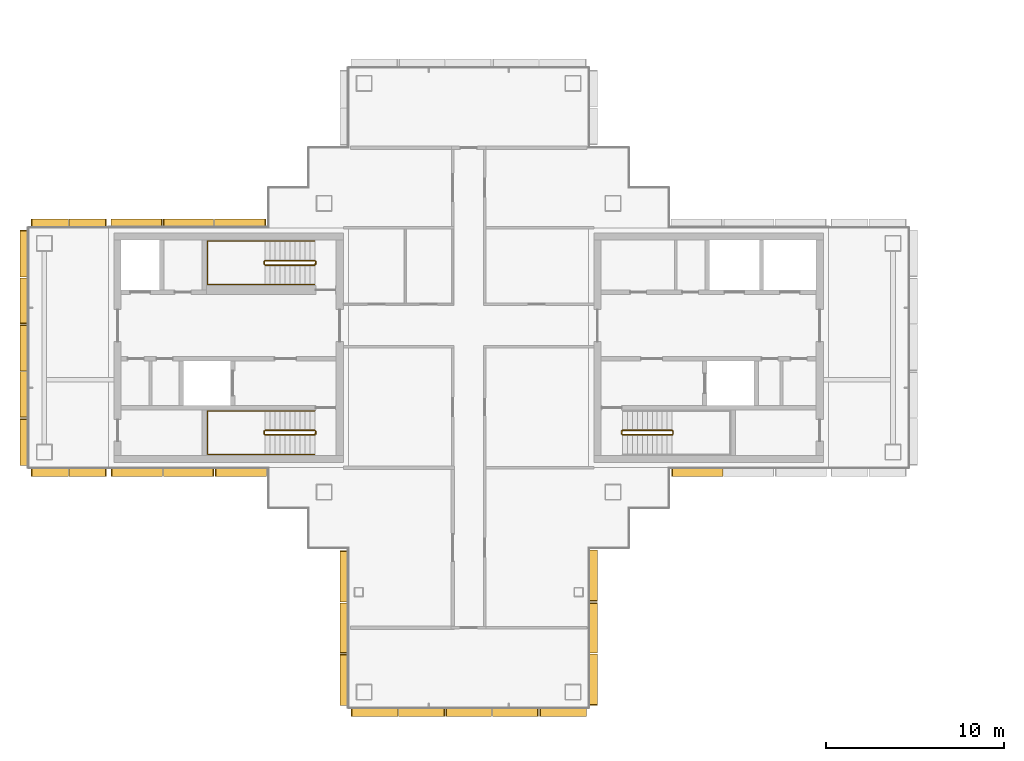
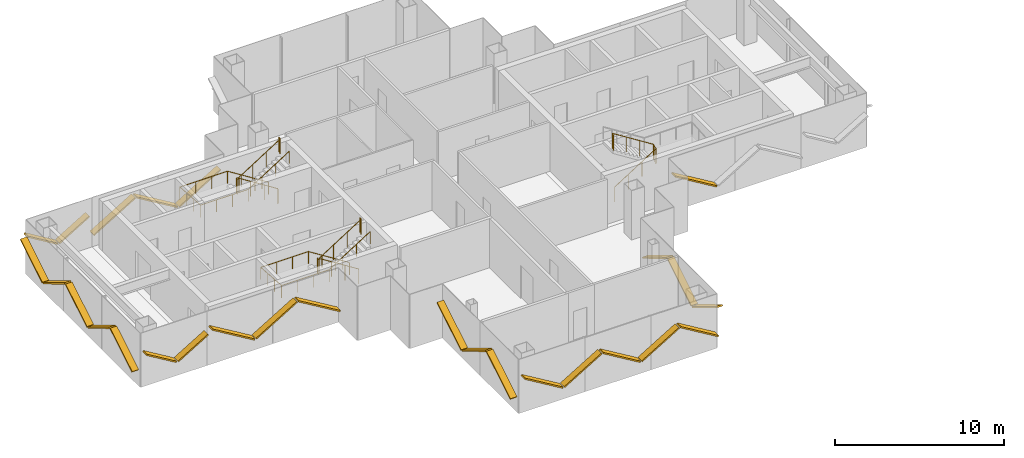
# One storey, part 14 of 17: 27 shading devices, 5 railings.
"""IFC4 building model written with IfcOpenShell, lengths in metres."""

from ifc_helpers import new_model, si_unit, direction, frame, origin, origin_2d, place, context, subcontext, project, spatial, rectangle, circle, extrude, material, material_profile, profile_set, type_object, element, save


model = new_model("IFC4")

# Units and contexts
model_context = context("Model", 3, precision=1e-05, world=origin(), true_north=direction((0.0, 1.0)))
body_context = subcontext(model_context, "Body", "Model", "MODEL_VIEW")
ifc_project = project(units=[si_unit("LENGTHUNIT", "METRE"), si_unit("AREAUNIT", "SQUARE_METRE"), si_unit("VOLUMEUNIT", "CUBIC_METRE"), si_unit("PLANEANGLEUNIT", "RADIAN"), si_unit("MASSUNIT", "GRAM", prefix="KILO")], contexts=[model_context])

# Site, building, storey
site_placement = place(None, origin())
site = spatial("IfcSite", under=ifc_project, at=site_placement, CompositionType="ELEMENT")
building_placement = place(site_placement, origin())
building = spatial("IfcBuilding", under=site, at=building_placement, Name="Shamsa Quay Exchange Towers", CompositionType="ELEMENT")
storey_placement = place(building_placement, frame((0.0, 0.0, 234.300048828125)))
storey = spatial("IfcBuildingStorey", under=building, at=storey_placement, Name="L56", CompositionType="ELEMENT", Elevation=234.300048828125)

# Shading devices
ifc_material_1 = material(Name="Aluminium EN AW-6063 T6, black anodised", Category="aluminium")
ifc_material_profile = material_profile(ifc_material_1, rectangle(XDim=0.449951171875, YDim=0.10009765625, at=origin_2d()), Name="FIN450x100")
ifc_profile_set = profile_set([ifc_material_profile], Name="Aluminium EN AW-6063 T6, black anodised")
shading_device_type = type_object("IfcShadingDeviceType", Name="FIN 450x100 BLACK ALUMINIUM", PredefinedType="USERDEFINED", material=ifc_profile_set)
shading_device_1_placement = place(storey_placement, frame((-40.764892578125, -11.43798828125, 2.452392578125), z_axis=(0.0, -0.857173881605, -0.51502712229), x_axis=(1.0, 0.0, 0.0)))
element("IfcShadingDevice", 1, at=shading_device_1_placement, inside=storey, type_object=shading_device_type, Name="FIN T1 chevron rib", ObjectType="FIN", PredefinedType="USERDEFINED", context=body_context, shape_type="SweptSolid", body=[
    extrude(rectangle(XDim=0.449951171875, YDim=0.10009765625, at=origin_2d()), origin(), (0.0, 0.0, 1.0), 3.310302734375),
])
shading_device_2_placement = place(storey_placement, frame((-40.764892578125, -14.375244140625, 0.762451171875), z_axis=(0.0, -0.857168152113, 0.515036657922), x_axis=(1.0, 0.0, 0.0)))
element("IfcShadingDevice", 2, at=shading_device_2_placement, inside=storey, type_object=shading_device_type, Name="FIN T1 chevron rib", ObjectType="FIN", PredefinedType="USERDEFINED", context=body_context, shape_type="SweptSolid", body=[
    extrude(rectangle(XDim=0.449951171875, YDim=0.10009765625, at=origin_2d()), origin(), (0.0, 0.0, 1.0), 3.251708984375),
])
shading_device_3_placement = place(storey_placement, frame((-40.764892578125, -17.2626953125, 2.452392578125), z_axis=(0.0, -0.857173881605, -0.51502712229), x_axis=(1.0, 0.0, 0.0)))
element("IfcShadingDevice", 3, at=shading_device_3_placement, inside=storey, type_object=shading_device_type, Name="FIN T1 chevron rib", ObjectType="FIN", PredefinedType="USERDEFINED", context=body_context, shape_type="SweptSolid", body=[
    extrude(rectangle(XDim=0.449951171875, YDim=0.10009765625, at=origin_2d()), origin(), (0.0, 0.0, 1.0), 3.310302734375),
])
shading_device_4_placement = place(storey_placement, frame((-40.35009765625, -20.514892578125, 2.378173828125), z_axis=(0.857150546907, 0.0, -0.51506595688), x_axis=(0.0, 1.0, 0.0)))
element("IfcShadingDevice", 4, at=shading_device_4_placement, inside=storey, type_object=shading_device_type, Name="FIN T1 chevron rib", ObjectType="FIN", PredefinedType="USERDEFINED", context=body_context, shape_type="SweptSolid", body=[
    extrude(rectangle(XDim=0.449951171875, YDim=0.10009765625, at=origin_2d()), origin(), (0.0, 0.0, 1.0), 3.021728515625),
])
for number, where, z_axis, x_axis, name in (
    (5, (-37.659912109375, -20.514892578125, 0.8369140625), (0.857158316574, 0.0, 0.515053026714), (0.0, 1.0, 0.0), "FIN T1 chevron rib"),
    (6, (-35.02001953125, -20.514892578125, 2.363037109375), (0.857180172053, 0.0, -0.515016652778), (0.0, 1.0, 0.0), "FIN T1 chevron rib"),
    (7, (-32.3798828125, -20.514892578125, 0.8369140625), (0.857158316574, 0.0, 0.515053026714), (0.0, 1.0, 0.0), "FIN T1 chevron rib"),
):
    element("IfcShadingDevice", number, at=place(storey_placement, frame(where, z_axis=z_axis, x_axis=x_axis)), inside=storey, type_object=shading_device_type, Name=name, ObjectType="FIN", PredefinedType="USERDEFINED", context=body_context, shape_type="SweptSolid", body=[
        extrude(rectangle(XDim=0.449951171875, YDim=0.10009765625, at=origin_2d()), origin(), (0.0, 0.0, 1.0), 2.963134765625),
    ])
shading_device_5_placement = place(storey_placement, frame((-29.739990234375, -20.514892578125, 2.378173828125), z_axis=(0.857150546907, 0.0, -0.51506595688), x_axis=(0.0, 1.0, 0.0)))
element("IfcShadingDevice", 8, at=shading_device_5_placement, inside=storey, type_object=shading_device_type, Name="FIN T1 chevron rib", ObjectType="FIN", PredefinedType="USERDEFINED", context=body_context, shape_type="SweptSolid", body=[
    extrude(rectangle(XDim=0.449951171875, YDim=0.10009765625, at=origin_2d()), origin(), (0.0, 0.0, 1.0), 3.021728515625),
])
shading_device_6_placement = place(storey_placement, frame((-26.735107421875, -20.10009765625, 2.456298828125), z_axis=(0.0, 0.857149370538, -0.515067914538), x_axis=(-1.0, 0.0, 0.0)))
element("IfcShadingDevice", 9, at=shading_device_6_placement, inside=storey, type_object=shading_device_type, Name="FIN T1 chevron rib", ObjectType="FIN", PredefinedType="USERDEFINED", context=body_context, shape_type="SweptSolid", body=[
    extrude(rectangle(XDim=0.449951171875, YDim=0.10009765625, at=origin_2d()), origin(), (0.0, 0.0, 1.0), 3.3251953125),
])
shading_device_7_placement = place(storey_placement, frame((-26.735107421875, -17.14990234375, 0.7587890625), z_axis=(0.0, 0.857156397537, 0.515056220389), x_axis=(-1.0, 0.0, 0.0)))
element("IfcShadingDevice", 10, at=shading_device_7_placement, inside=storey, type_object=shading_device_type, Name="FIN T1 chevron rib", ObjectType="FIN", PredefinedType="USERDEFINED", context=body_context, shape_type="SweptSolid", body=[
    extrude(rectangle(XDim=0.449951171875, YDim=0.10009765625, at=origin_2d()), origin(), (0.0, 0.0, 1.0), 3.266357421875),
])
shading_device_8_placement = place(storey_placement, frame((-26.735107421875, -14.25, 2.456298828125), z_axis=(0.0, 0.857149370538, -0.515067914538), x_axis=(-1.0, 0.0, 0.0)))
element("IfcShadingDevice", 11, at=shading_device_8_placement, inside=storey, type_object=shading_device_type, Name="FIN T1 chevron rib", ObjectType="FIN", PredefinedType="USERDEFINED", context=body_context, shape_type="SweptSolid", body=[
    extrude(rectangle(XDim=0.449951171875, YDim=0.10009765625, at=origin_2d()), origin(), (0.0, 0.0, 1.0), 3.3251953125),
])
for number, where, z_axis, x_axis, name in (
    (12, (-22.31201171875, -7.01904296875, 2.452392578125), (0.857173881605, 0.0, -0.51502712229), (0.0, 1.0, 0.0), "FIN T1 chevron rib"),
    (13, (-45.18798828125, 7.01904296875, 2.452392578125), (-0.857173881605, 0.0, -0.51502712229), (0.0, -1.0, 0.0), "FIN T1 chevron rib"),
):
    element("IfcShadingDevice", number, at=place(storey_placement, frame(where, z_axis=z_axis, x_axis=x_axis)), inside=storey, type_object=shading_device_type, Name=name, ObjectType="FIN", PredefinedType="USERDEFINED", context=body_context, shape_type="SweptSolid", body=[
        extrude(rectangle(XDim=0.449951171875, YDim=0.10009765625, at=origin_2d()), origin(), (0.0, 0.0, 1.0), 3.310302734375),
    ])
shading_device_9_placement = place(storey_placement, frame((-48.125244140625, 7.01904296875, 0.762451171875), z_axis=(-0.857168152113, 0.0, 0.515036657922), x_axis=(0.0, -1.0, 0.0)))
element("IfcShadingDevice", 14, at=shading_device_9_placement, inside=storey, type_object=shading_device_type, Name="FIN T1 chevron rib", ObjectType="FIN", PredefinedType="USERDEFINED", context=body_context, shape_type="SweptSolid", body=[
    extrude(rectangle(XDim=0.449951171875, YDim=0.10009765625, at=origin_2d()), origin(), (0.0, 0.0, 1.0), 3.251708984375),
])
shading_device_10_placement = place(storey_placement, frame((-51.0126953125, 7.01904296875, 2.452392578125), z_axis=(-0.857173881605, 0.0, -0.51502712229), x_axis=(0.0, -1.0, 0.0)))
element("IfcShadingDevice", 15, at=shading_device_10_placement, inside=storey, type_object=shading_device_type, Name="FIN T1 chevron rib", ObjectType="FIN", PredefinedType="USERDEFINED", context=body_context, shape_type="SweptSolid", body=[
    extrude(rectangle(XDim=0.449951171875, YDim=0.10009765625, at=origin_2d()), origin(), (0.0, 0.0, 1.0), 3.310302734375),
])
for number, where, z_axis, x_axis, name in (
    (16, (-54.14990234375, 7.014892578125, 2.2158203125), (-0.857186526385, 0.0, -0.515006076648), (0.0, -1.0, 0.0), "FIN T1 chevron rib"),
    (17, (-56.300048828125, 7.014892578125, 0.984130859375), (-0.857186526385, 0.0, 0.515006076648), (0.0, -1.0, 0.0), "FIN T1 chevron rib"),
):
    element("IfcShadingDevice", number, at=place(storey_placement, frame(where, z_axis=z_axis, x_axis=x_axis)), inside=storey, type_object=shading_device_type, Name=name, ObjectType="FIN", PredefinedType="USERDEFINED", context=body_context, shape_type="SweptSolid", body=[
        extrude(rectangle(XDim=0.449951171875, YDim=0.10009765625, at=origin_2d()), origin(), (0.0, 0.0, 1.0), 2.3916015625),
    ])
shading_device_11_placement = place(storey_placement, frame((-58.764892578125, 6.60009765625, 2.378173828125), z_axis=(0.0, -0.857150546907, -0.51506595688), x_axis=(1.0, 0.0, 0.0)))
element("IfcShadingDevice", 18, at=shading_device_11_placement, inside=storey, type_object=shading_device_type, Name="FIN T1 chevron rib", ObjectType="FIN", PredefinedType="USERDEFINED", context=body_context, shape_type="SweptSolid", body=[
    extrude(rectangle(XDim=0.449951171875, YDim=0.10009765625, at=origin_2d()), origin(), (0.0, 0.0, 1.0), 3.021728515625),
])
for number, where, z_axis, x_axis, name in (
    (19, (-58.764892578125, 3.909912109375, 0.8369140625), (0.0, -0.857158316574, 0.515053026714), (1.0, 0.0, 0.0), "FIN T1 chevron rib"),
    (20, (-58.764892578125, 1.27001953125, 2.363037109375), (0.0, -0.857180172053, -0.515016652778), (1.0, 0.0, 0.0), "FIN T1 chevron rib"),
    (21, (-58.764892578125, -1.3701171875, 0.8369140625), (0.0, -0.857158316574, 0.515053026714), (1.0, 0.0, 0.0), "FIN T1 chevron rib"),
):
    element("IfcShadingDevice", number, at=place(storey_placement, frame(where, z_axis=z_axis, x_axis=x_axis)), inside=storey, type_object=shading_device_type, Name=name, ObjectType="FIN", PredefinedType="USERDEFINED", context=body_context, shape_type="SweptSolid", body=[
        extrude(rectangle(XDim=0.449951171875, YDim=0.10009765625, at=origin_2d()), origin(), (0.0, 0.0, 1.0), 2.963134765625),
    ])
shading_device_12_placement = place(storey_placement, frame((-58.764892578125, -4.010009765625, 2.378173828125), z_axis=(0.0, -0.857150546907, -0.51506595688), x_axis=(1.0, 0.0, 0.0)))
element("IfcShadingDevice", 22, at=shading_device_12_placement, inside=storey, type_object=shading_device_type, Name="FIN T1 chevron rib", ObjectType="FIN", PredefinedType="USERDEFINED", context=body_context, shape_type="SweptSolid", body=[
    extrude(rectangle(XDim=0.449951171875, YDim=0.10009765625, at=origin_2d()), origin(), (0.0, 0.0, 1.0), 3.021728515625),
])
for number, where, z_axis, x_axis, name in (
    (23, (-58.35009765625, -7.014892578125, 2.2158203125), (0.857186526385, 0.0, -0.515006076648), (0.0, 1.0, 0.0), "FIN T1 chevron rib"),
    (24, (-56.199951171875, -7.014892578125, 0.984130859375), (0.857186526385, 0.0, 0.515006076648), (0.0, 1.0, 0.0), "FIN T1 chevron rib"),
):
    element("IfcShadingDevice", number, at=place(storey_placement, frame(where, z_axis=z_axis, x_axis=x_axis)), inside=storey, type_object=shading_device_type, Name=name, ObjectType="FIN", PredefinedType="USERDEFINED", context=body_context, shape_type="SweptSolid", body=[
        extrude(rectangle(XDim=0.449951171875, YDim=0.10009765625, at=origin_2d()), origin(), (0.0, 0.0, 1.0), 2.3916015625),
    ])
shading_device_13_placement = place(storey_placement, frame((-53.85009765625, -7.01904296875, 2.456298828125), z_axis=(0.857149370538, 0.0, -0.515067914538), x_axis=(0.0, 1.0, 0.0)))
element("IfcShadingDevice", 25, at=shading_device_13_placement, inside=storey, type_object=shading_device_type, Name="FIN T1 chevron rib", ObjectType="FIN", PredefinedType="USERDEFINED", context=body_context, shape_type="SweptSolid", body=[
    extrude(rectangle(XDim=0.449951171875, YDim=0.10009765625, at=origin_2d()), origin(), (0.0, 0.0, 1.0), 3.3251953125),
])
shading_device_14_placement = place(storey_placement, frame((-50.89990234375, -7.01904296875, 0.7587890625), z_axis=(0.857156397537, 0.0, 0.515056220389), x_axis=(0.0, 1.0, 0.0)))
element("IfcShadingDevice", 26, at=shading_device_14_placement, inside=storey, type_object=shading_device_type, Name="FIN T1 chevron rib", ObjectType="FIN", PredefinedType="USERDEFINED", context=body_context, shape_type="SweptSolid", body=[
    extrude(rectangle(XDim=0.449951171875, YDim=0.10009765625, at=origin_2d()), origin(), (0.0, 0.0, 1.0), 3.266357421875),
])
shading_device_15_placement = place(storey_placement, frame((-48.0, -7.01904296875, 2.456298828125), z_axis=(0.857149370538, 0.0, -0.515067914538), x_axis=(0.0, 1.0, 0.0)))
element("IfcShadingDevice", 27, at=shading_device_15_placement, inside=storey, type_object=shading_device_type, Name="FIN T1 chevron rib", ObjectType="FIN", PredefinedType="USERDEFINED", context=body_context, shape_type="SweptSolid", body=[
    extrude(rectangle(XDim=0.449951171875, YDim=0.10009765625, at=origin_2d()), origin(), (0.0, 0.0, 1.0), 3.3251953125),
])

# Railings
ifc_material_2 = material(Name="Stainless steel", Category="steel")
railing_type_1 = type_object("IfcRailingType", Name="STAIR GUARD 1100", PredefinedType="GUARDRAIL", material=ifc_material_2)
railing_1_placement = place(storey_placement, frame((-25.10009765625, -4.89990234375, 0.17724609375)))
element("IfcRailing", 28, at=railing_1_placement, inside=storey, type_object=railing_type_1, Name="L56 ST1 stair guard 1", PredefinedType="GUARDRAIL", context=body_context, shape_type="SweptSolid", body=[
    extrude(circle(Radius=0.02392578125, at=origin_2d()), frame((0.0, 0.0, 1.076171875), z_axis=(0.844908973607, 0.0, 0.534910110503), x_axis=(0.0, 1.0, 0.0)), (0.0, 0.0, 1.0), 3.31396484375),
    extrude(circle(Radius=0.02392578125, at=origin_2d()), frame((2.800048828125, 0.0, 2.8486328125), z_axis=(0.708833529934, 0.705375805398, 0.0), x_axis=(-0.705375805398, 0.708833529934, 0.0)), (0.0, 0.0, 1.0), 0.070556640625),
    extrude(circle(Radius=0.02392578125, at=origin_2d()), frame((2.85009765625, 0.0498046875, 2.8486328125), z_axis=(0.0, 1.0, 0.0), x_axis=(-1.0, 0.0, 0.0)), (0.0, 0.0, 1.0), 0.150146484375),
    extrude(circle(Radius=0.02392578125, at=origin_2d()), frame((2.85009765625, 0.199951171875, 2.8486328125), z_axis=(-0.262233686654, 0.262233686654, 0.928691007369), x_axis=(-0.707106781187, -0.707106781187, 0.0)), (0.0, 0.0, 1.0), 0.19091796875),
    extrude(circle(Radius=0.02392578125, at=origin_2d()), frame((2.800048828125, 0.25, 3.02587890625), z_axis=(-0.844908973607, 0.0, 0.534910110503), x_axis=(0.0, -1.0, 0.0)), (0.0, 0.0, 1.0), 3.31396484375),
    extrude(circle(Radius=0.02392578125, at=origin_2d()), frame((0.0, 0.25, 4.798828125), z_axis=(-0.24142163986, -0.970420317083, 0.0), x_axis=(0.970420317083, -0.24142163986, 0.0)), (0.0, 0.0, 1.0), 0.206298828125),
    extrude(circle(Radius=0.02392578125, at=origin_2d()), frame((-0.0498046875, 0.0498046875, 4.798828125), z_axis=(0.0, 1.0, 0.0), x_axis=(-1.0, 0.0, 0.0)), (0.0, 0.0, 1.0), 0.150146484375),
    extrude(circle(Radius=0.02099609375, at=origin_2d()), origin(), (0.0, 0.0, 1.0), 1.052001953125),
    extrude(circle(Radius=0.02099609375, at=origin_2d()), frame((0.933349609375, 0.0, 0.5908203125)), (0.0, 0.0, 1.0), 1.052001953125),
    extrude(circle(Radius=0.02099609375, at=origin_2d()), frame((1.86669921875, 0.0, 1.181884765625)), (0.0, 0.0, 1.0), 1.052001953125),
    extrude(circle(Radius=0.02099609375, at=origin_2d()), frame((2.800048828125, 0.0, 1.772705078125)), (0.0, 0.0, 1.0), 1.052001953125),
    extrude(circle(Radius=0.02099609375, at=origin_2d()), frame((2.85009765625, 0.0498046875, 1.772705078125)), (0.0, 0.0, 1.0), 1.052001953125),
    extrude(circle(Radius=0.02099609375, at=origin_2d()), frame((2.85009765625, 0.199951171875, 1.772705078125)), (0.0, 0.0, 1.0), 1.052001953125),
    extrude(circle(Radius=0.02099609375, at=origin_2d()), frame((2.800048828125, 0.25, 1.949951171875)), (0.0, 0.0, 1.0), 1.052001953125),
    extrude(circle(Radius=0.02099609375, at=origin_2d()), frame((1.86669921875, 0.25, 2.540771484375)), (0.0, 0.0, 1.0), 1.052001953125),
    extrude(circle(Radius=0.02099609375, at=origin_2d()), frame((0.933349609375, 0.25, 3.1318359375)), (0.0, 0.0, 1.0), 1.052001953125),
    extrude(circle(Radius=0.02099609375, at=origin_2d()), frame((0.0, 0.25, 3.72265625)), (0.0, 0.0, 1.0), 1.052001953125),
    extrude(circle(Radius=0.02099609375, at=origin_2d()), frame((-0.0498046875, 0.0498046875, 3.72265625)), (0.0, 0.0, 1.0), 1.052001953125),
    extrude(circle(Radius=0.02099609375, at=origin_2d()), frame((-0.0498046875, 0.199951171875, 3.72265625)), (0.0, 0.0, 1.0), 1.052001953125),
])
railing_2_placement = place(storey_placement, frame((-42.39990234375, -4.64990234375, 0.17724609375)))
element("IfcRailing", 29, at=railing_2_placement, inside=storey, type_object=railing_type_1, Name="L56 ST2 stair guard 1", PredefinedType="GUARDRAIL", context=body_context, shape_type="SweptSolid", body=[
    extrude(circle(Radius=0.02392578125, at=origin_2d()), frame((0.0, 0.0, 1.076171875), z_axis=(-0.844908973607, 0.0, 0.534910110503), x_axis=(0.0, -1.0, 0.0)), (0.0, 0.0, 1.0), 3.31396484375),
    extrude(circle(Radius=0.02392578125, at=origin_2d()), frame((-2.800048828125, 0.0, 2.8486328125), z_axis=(-0.707106781187, -0.707106781187, 0.0), x_axis=(0.707106781187, -0.707106781187, 0.0)), (0.0, 0.0, 1.0), 0.07080078125),
    extrude(circle(Radius=0.02392578125, at=origin_2d()), frame((-2.85009765625, -0.050048828125, 2.8486328125), z_axis=(0.0, -1.0, 0.0), x_axis=(1.0, 0.0, 0.0)), (0.0, 0.0, 1.0), 0.150146484375),
    extrude(circle(Radius=0.02392578125, at=origin_2d()), frame((-2.85009765625, -0.2001953125, 2.8486328125), z_axis=(0.262321481514, -0.261041864531, 0.929001929653), x_axis=(0.705375805398, 0.708833529934, 0.0)), (0.0, 0.0, 1.0), 0.190673828125),
    extrude(circle(Radius=0.02392578125, at=origin_2d()), frame((-2.800048828125, -0.25, 3.02587890625), z_axis=(0.844908973607, 0.0, 0.534910110503), x_axis=(0.0, 1.0, 0.0)), (0.0, 0.0, 1.0), 3.31396484375),
    extrude(circle(Radius=0.02392578125, at=origin_2d()), frame((0.0, -0.25, 4.798828125), z_axis=(0.241699205484, 0.970351222016, 0.0), x_axis=(-0.970351222016, 0.241699205484, 0.0)), (0.0, 0.0, 1.0), 0.2060546875),
    extrude(circle(Radius=0.02392578125, at=origin_2d()), frame((0.0498046875, -0.050048828125, 4.798828125), z_axis=(0.0, -1.0, 0.0), x_axis=(1.0, 0.0, 0.0)), (0.0, 0.0, 1.0), 0.150146484375),
    extrude(circle(Radius=0.02099609375, at=origin_2d()), origin(), (0.0, 0.0, 1.0), 1.052001953125),
    extrude(circle(Radius=0.02099609375, at=origin_2d()), frame((-0.933349609375, 0.0, 0.5908203125)), (0.0, 0.0, 1.0), 1.052001953125),
    extrude(circle(Radius=0.02099609375, at=origin_2d()), frame((-1.86669921875, 0.0, 1.181884765625)), (0.0, 0.0, 1.0), 1.052001953125),
    extrude(circle(Radius=0.02099609375, at=origin_2d()), frame((-2.800048828125, 0.0, 1.772705078125)), (0.0, 0.0, 1.0), 1.052001953125),
    extrude(circle(Radius=0.02099609375, at=origin_2d()), frame((-2.85009765625, -0.050048828125, 1.772705078125)), (0.0, 0.0, 1.0), 1.052001953125),
    extrude(circle(Radius=0.02099609375, at=origin_2d()), frame((-2.85009765625, -0.2001953125, 1.772705078125)), (0.0, 0.0, 1.0), 1.052001953125),
    extrude(circle(Radius=0.02099609375, at=origin_2d()), frame((-2.800048828125, -0.25, 1.949951171875)), (0.0, 0.0, 1.0), 1.052001953125),
    extrude(circle(Radius=0.02099609375, at=origin_2d()), frame((-1.86669921875, -0.25, 2.540771484375)), (0.0, 0.0, 1.0), 1.052001953125),
    extrude(circle(Radius=0.02099609375, at=origin_2d()), frame((-0.933349609375, -0.25, 3.1318359375)), (0.0, 0.0, 1.0), 1.052001953125),
    extrude(circle(Radius=0.02099609375, at=origin_2d()), frame((0.0, -0.25, 3.72265625)), (0.0, 0.0, 1.0), 1.052001953125),
    extrude(circle(Radius=0.02099609375, at=origin_2d()), frame((0.0498046875, -0.050048828125, 3.72265625)), (0.0, 0.0, 1.0), 1.052001953125),
    extrude(circle(Radius=0.02099609375, at=origin_2d()), frame((0.0498046875, -0.2001953125, 3.72265625)), (0.0, 0.0, 1.0), 1.052001953125),
])
railing_3_placement = place(storey_placement, frame((-42.39990234375, 4.89990234375, 0.17724609375)))
element("IfcRailing", 30, at=railing_3_placement, inside=storey, type_object=railing_type_1, Name="L56 ST3 stair guard 1", PredefinedType="GUARDRAIL", context=body_context, shape_type="SweptSolid", body=[
    extrude(circle(Radius=0.02392578125, at=origin_2d()), frame((0.0, 0.0, 1.076171875), z_axis=(-0.844908973607, 0.0, 0.534910110503), x_axis=(0.0, -1.0, 0.0)), (0.0, 0.0, 1.0), 3.31396484375),
    extrude(circle(Radius=0.02392578125, at=origin_2d()), frame((-2.800048828125, 0.0, 2.8486328125), z_axis=(-0.708833529934, -0.705375805398, 0.0), x_axis=(0.705375805398, -0.708833529934, 0.0)), (0.0, 0.0, 1.0), 0.070556640625),
    extrude(circle(Radius=0.02392578125, at=origin_2d()), frame((-2.85009765625, -0.0498046875, 2.8486328125), z_axis=(0.0, -1.0, 0.0), x_axis=(1.0, 0.0, 0.0)), (0.0, 0.0, 1.0), 0.150146484375),
    extrude(circle(Radius=0.02392578125, at=origin_2d()), frame((-2.85009765625, -0.199951171875, 2.8486328125), z_axis=(0.262233686654, -0.262233686654, 0.928691007369), x_axis=(0.707106781187, 0.707106781187, 0.0)), (0.0, 0.0, 1.0), 0.19091796875),
    extrude(circle(Radius=0.02392578125, at=origin_2d()), frame((-2.800048828125, -0.25, 3.02587890625), z_axis=(0.844908973607, 0.0, 0.534910110503), x_axis=(0.0, 1.0, 0.0)), (0.0, 0.0, 1.0), 3.31396484375),
    extrude(circle(Radius=0.02392578125, at=origin_2d()), frame((0.0, -0.25, 4.798828125), z_axis=(0.24142163986, 0.970420317083, 0.0), x_axis=(-0.970420317083, 0.24142163986, 0.0)), (0.0, 0.0, 1.0), 0.206298828125),
    extrude(circle(Radius=0.02392578125, at=origin_2d()), frame((0.0498046875, -0.0498046875, 4.798828125), z_axis=(0.0, -1.0, 0.0), x_axis=(1.0, 0.0, 0.0)), (0.0, 0.0, 1.0), 0.150146484375),
    extrude(circle(Radius=0.02099609375, at=origin_2d()), origin(), (0.0, 0.0, 1.0), 1.052001953125),
    extrude(circle(Radius=0.02099609375, at=origin_2d()), frame((-0.933349609375, 0.0, 0.5908203125)), (0.0, 0.0, 1.0), 1.052001953125),
    extrude(circle(Radius=0.02099609375, at=origin_2d()), frame((-1.86669921875, 0.0, 1.181884765625)), (0.0, 0.0, 1.0), 1.052001953125),
    extrude(circle(Radius=0.02099609375, at=origin_2d()), frame((-2.800048828125, 0.0, 1.772705078125)), (0.0, 0.0, 1.0), 1.052001953125),
    extrude(circle(Radius=0.02099609375, at=origin_2d()), frame((-2.85009765625, -0.0498046875, 1.772705078125)), (0.0, 0.0, 1.0), 1.052001953125),
    extrude(circle(Radius=0.02099609375, at=origin_2d()), frame((-2.85009765625, -0.199951171875, 1.772705078125)), (0.0, 0.0, 1.0), 1.052001953125),
    extrude(circle(Radius=0.02099609375, at=origin_2d()), frame((-2.800048828125, -0.25, 1.949951171875)), (0.0, 0.0, 1.0), 1.052001953125),
    extrude(circle(Radius=0.02099609375, at=origin_2d()), frame((-1.86669921875, -0.25, 2.540771484375)), (0.0, 0.0, 1.0), 1.052001953125),
    extrude(circle(Radius=0.02099609375, at=origin_2d()), frame((-0.933349609375, -0.25, 3.1318359375)), (0.0, 0.0, 1.0), 1.052001953125),
    extrude(circle(Radius=0.02099609375, at=origin_2d()), frame((0.0, -0.25, 3.72265625)), (0.0, 0.0, 1.0), 1.052001953125),
    extrude(circle(Radius=0.02099609375, at=origin_2d()), frame((0.0498046875, -0.0498046875, 3.72265625)), (0.0, 0.0, 1.0), 1.052001953125),
    extrude(circle(Radius=0.02099609375, at=origin_2d()), frame((0.0498046875, -0.199951171875, 3.72265625)), (0.0, 0.0, 1.0), 1.052001953125),
])
railing_type_2 = type_object("IfcRailingType", Name="STAIR HANDRAIL 900", PredefinedType="HANDRAIL", material=ifc_material_2)
railing_4_placement = place(storey_placement, frame((-42.39990234375, -3.550048828125, 0.17724609375)))
element("IfcRailing", 31, at=railing_4_placement, inside=storey, type_object=railing_type_2, Name="L56 ST2 stair handrail 1", PredefinedType="HANDRAIL", context=body_context, shape_type="SweptSolid", body=[
    extrude(circle(Radius=0.02392578125, at=origin_2d()), frame((0.0, 0.0, 0.8759765625), z_axis=(-0.844908973607, 0.0, 0.534910110503), x_axis=(0.0, -1.0, 0.0)), (0.0, 0.0, 1.0), 3.31396484375),
    extrude(circle(Radius=0.02392578125, at=origin_2d()), frame((-2.800048828125, 0.0, 2.6484375), z_axis=(-1.0, 0.0, 0.0), x_axis=(0.0, -1.0, 0.0)), (0.0, 0.0, 1.0), 3.25),
    extrude(circle(Radius=0.02392578125, at=origin_2d()), frame((-6.050048828125, 0.0, 2.6484375), z_axis=(0.0, -0.997393199914, 0.07215819264), x_axis=(1.0, 0.0, 0.0)), (0.0, 0.0, 1.0), 2.456298828125),
    extrude(circle(Radius=0.02392578125, at=origin_2d()), frame((-6.050048828125, -2.449951171875, 2.82568359375), z_axis=(1.0, 0.0, 0.0), x_axis=(0.0, 1.0, 0.0)), (0.0, 0.0, 1.0), 3.25),
    extrude(circle(Radius=0.02392578125, at=origin_2d()), frame((-2.800048828125, -2.449951171875, 2.82568359375), z_axis=(0.844908973607, 0.0, 0.534910110503), x_axis=(0.0, 1.0, 0.0)), (0.0, 0.0, 1.0), 3.31396484375),
    extrude(circle(Radius=0.02099609375, at=origin_2d()), origin(), (0.0, 0.0, 1.0), 0.851806640625),
    extrude(circle(Radius=0.02099609375, at=origin_2d()), frame((-0.933349609375, 0.0, 0.5908203125)), (0.0, 0.0, 1.0), 0.851806640625),
    extrude(circle(Radius=0.02099609375, at=origin_2d()), frame((-1.86669921875, 0.0, 1.181884765625)), (0.0, 0.0, 1.0), 0.851806640625),
    extrude(circle(Radius=0.02099609375, at=origin_2d()), frame((-2.800048828125, 0.0, 1.772705078125)), (0.0, 0.0, 1.0), 0.851806640625),
    extrude(circle(Radius=0.02099609375, at=origin_2d()), frame((-3.88330078125, 0.0, 1.772705078125)), (0.0, 0.0, 1.0), 0.851806640625),
    extrude(circle(Radius=0.02099609375, at=origin_2d()), frame((-4.966796875, 0.0, 1.772705078125)), (0.0, 0.0, 1.0), 0.851806640625),
    extrude(circle(Radius=0.02099609375, at=origin_2d()), frame((-6.050048828125, 0.0, 1.772705078125)), (0.0, 0.0, 1.0), 0.851806640625),
    extrude(circle(Radius=0.02099609375, at=origin_2d()), frame((-6.050048828125, -0.816650390625, 1.831787109375)), (0.0, 0.0, 1.0), 0.851806640625),
    extrude(circle(Radius=0.02099609375, at=origin_2d()), frame((-6.050048828125, -1.63330078125, 1.890869140625)), (0.0, 0.0, 1.0), 0.851806640625),
    extrude(circle(Radius=0.02099609375, at=origin_2d()), frame((-6.050048828125, -2.449951171875, 1.949951171875)), (0.0, 0.0, 1.0), 0.851806640625),
    extrude(circle(Radius=0.02099609375, at=origin_2d()), frame((-4.966796875, -2.449951171875, 1.949951171875)), (0.0, 0.0, 1.0), 0.851806640625),
    extrude(circle(Radius=0.02099609375, at=origin_2d()), frame((-3.88330078125, -2.449951171875, 1.949951171875)), (0.0, 0.0, 1.0), 0.851806640625),
    extrude(circle(Radius=0.02099609375, at=origin_2d()), frame((-2.800048828125, -2.449951171875, 1.949951171875)), (0.0, 0.0, 1.0), 0.851806640625),
    extrude(circle(Radius=0.02099609375, at=origin_2d()), frame((-1.86669921875, -2.449951171875, 2.540771484375)), (0.0, 0.0, 1.0), 0.851806640625),
    extrude(circle(Radius=0.02099609375, at=origin_2d()), frame((-0.933349609375, -2.449951171875, 3.1318359375)), (0.0, 0.0, 1.0), 0.851806640625),
    extrude(circle(Radius=0.02099609375, at=origin_2d()), frame((0.0, -2.449951171875, 3.72265625)), (0.0, 0.0, 1.0), 0.851806640625),
])
railing_5_placement = place(storey_placement, frame((-42.39990234375, 6.0, 0.17724609375)))
element("IfcRailing", 32, at=railing_5_placement, inside=storey, type_object=railing_type_2, Name="L56 ST3 stair handrail 1", PredefinedType="HANDRAIL", context=body_context, shape_type="SweptSolid", body=[
    extrude(circle(Radius=0.02392578125, at=origin_2d()), frame((0.0, 0.0, 0.8759765625), z_axis=(-0.844908973607, 0.0, 0.534910110503), x_axis=(0.0, -1.0, 0.0)), (0.0, 0.0, 1.0), 3.31396484375),
    extrude(circle(Radius=0.02392578125, at=origin_2d()), frame((-2.800048828125, 0.0, 2.6484375), z_axis=(-1.0, 0.0, 0.0), x_axis=(0.0, -1.0, 0.0)), (0.0, 0.0, 1.0), 3.25),
    extrude(circle(Radius=0.02392578125, at=origin_2d()), frame((-6.050048828125, 0.0, 2.6484375), z_axis=(0.0, -0.997393199914, 0.07215819264), x_axis=(1.0, 0.0, 0.0)), (0.0, 0.0, 1.0), 2.456298828125),
    extrude(circle(Radius=0.02392578125, at=origin_2d()), frame((-6.050048828125, -2.449951171875, 2.82568359375), z_axis=(1.0, 0.0, 0.0), x_axis=(0.0, 1.0, 0.0)), (0.0, 0.0, 1.0), 3.25),
    extrude(circle(Radius=0.02392578125, at=origin_2d()), frame((-2.800048828125, -2.449951171875, 2.82568359375), z_axis=(0.844908973607, 0.0, 0.534910110503), x_axis=(0.0, 1.0, 0.0)), (0.0, 0.0, 1.0), 3.31396484375),
    extrude(circle(Radius=0.02099609375, at=origin_2d()), origin(), (0.0, 0.0, 1.0), 0.851806640625),
    extrude(circle(Radius=0.02099609375, at=origin_2d()), frame((-0.933349609375, 0.0, 0.5908203125)), (0.0, 0.0, 1.0), 0.851806640625),
    extrude(circle(Radius=0.02099609375, at=origin_2d()), frame((-1.86669921875, 0.0, 1.181884765625)), (0.0, 0.0, 1.0), 0.851806640625),
    extrude(circle(Radius=0.02099609375, at=origin_2d()), frame((-2.800048828125, 0.0, 1.772705078125)), (0.0, 0.0, 1.0), 0.851806640625),
    extrude(circle(Radius=0.02099609375, at=origin_2d()), frame((-3.88330078125, 0.0, 1.772705078125)), (0.0, 0.0, 1.0), 0.851806640625),
    extrude(circle(Radius=0.02099609375, at=origin_2d()), frame((-4.966796875, 0.0, 1.772705078125)), (0.0, 0.0, 1.0), 0.851806640625),
    extrude(circle(Radius=0.02099609375, at=origin_2d()), frame((-6.050048828125, 0.0, 1.772705078125)), (0.0, 0.0, 1.0), 0.851806640625),
    extrude(circle(Radius=0.02099609375, at=origin_2d()), frame((-6.050048828125, -0.816650390625, 1.831787109375)), (0.0, 0.0, 1.0), 0.851806640625),
    extrude(circle(Radius=0.02099609375, at=origin_2d()), frame((-6.050048828125, -1.63330078125, 1.890869140625)), (0.0, 0.0, 1.0), 0.851806640625),
    extrude(circle(Radius=0.02099609375, at=origin_2d()), frame((-6.050048828125, -2.449951171875, 1.949951171875)), (0.0, 0.0, 1.0), 0.851806640625),
    extrude(circle(Radius=0.02099609375, at=origin_2d()), frame((-4.966796875, -2.449951171875, 1.949951171875)), (0.0, 0.0, 1.0), 0.851806640625),
    extrude(circle(Radius=0.02099609375, at=origin_2d()), frame((-3.88330078125, -2.449951171875, 1.949951171875)), (0.0, 0.0, 1.0), 0.851806640625),
    extrude(circle(Radius=0.02099609375, at=origin_2d()), frame((-2.800048828125, -2.449951171875, 1.949951171875)), (0.0, 0.0, 1.0), 0.851806640625),
    extrude(circle(Radius=0.02099609375, at=origin_2d()), frame((-1.86669921875, -2.449951171875, 2.540771484375)), (0.0, 0.0, 1.0), 0.851806640625),
    extrude(circle(Radius=0.02099609375, at=origin_2d()), frame((-0.933349609375, -2.449951171875, 3.1318359375)), (0.0, 0.0, 1.0), 0.851806640625),
    extrude(circle(Radius=0.02099609375, at=origin_2d()), frame((0.0, -2.449951171875, 3.72265625)), (0.0, 0.0, 1.0), 0.851806640625),
])

save(model, "model.ifc")
